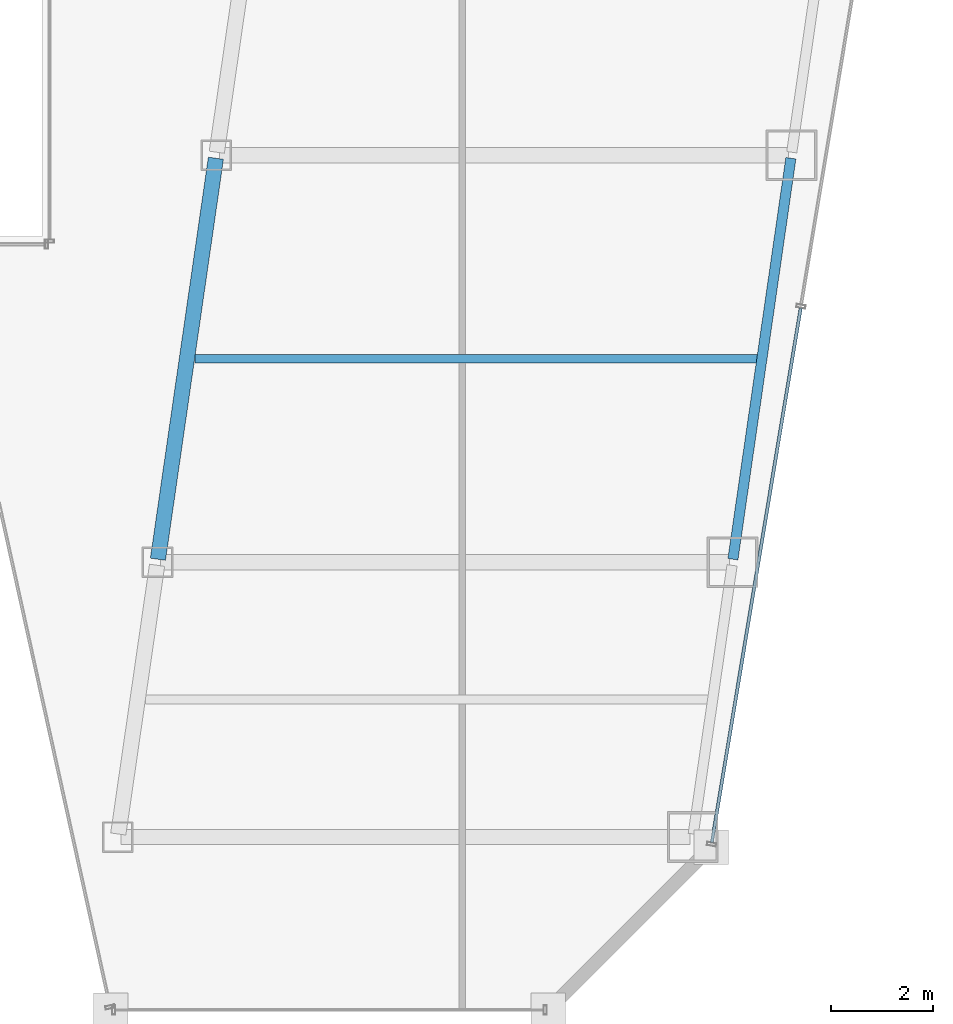
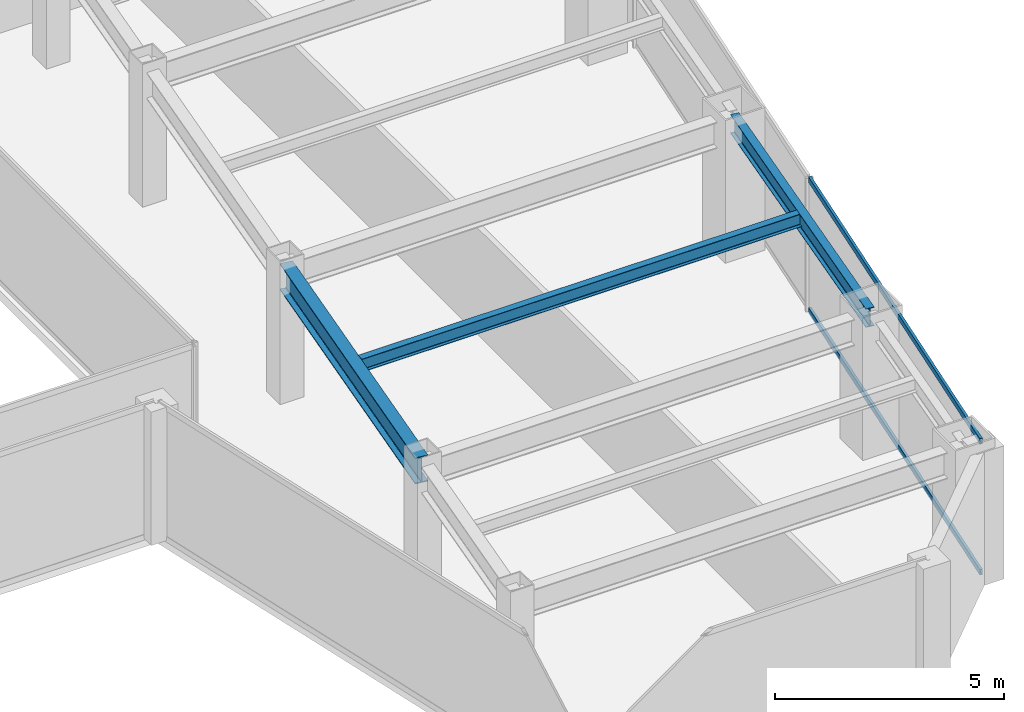
# One storey, part 15 of 37: 3 beams, 2 members, 1 element without a shape of its own.
"""IFC4 building model written with IfcOpenShell, lengths in metres."""

from ifc_helpers import new_model, si_unit, direction, frame, origin, origin_2d, place, context, subcontext, project, spatial, hollow_rectangle, i_section, extrude, material, material_profile, profile_set, type_object, element, aggregate, save


model = new_model("IFC4")

# Units and contexts
model_context = context("Model", 3, precision=1e-05, world=origin(), true_north=direction((0.0, 1.0)))
body_context = subcontext(model_context, "Body", "Model", "MODEL_VIEW")
ifc_project = project(units=[si_unit("LENGTHUNIT", "METRE"), si_unit("AREAUNIT", "SQUARE_METRE"), si_unit("VOLUMEUNIT", "CUBIC_METRE"), si_unit("PLANEANGLEUNIT", "RADIAN"), si_unit("MASSUNIT", "GRAM", prefix="KILO")], contexts=[model_context])

# Site, building, storey
site_placement = place(None, origin())
site = spatial("IfcSite", under=ifc_project, at=site_placement, CompositionType="ELEMENT")
building_placement = place(site_placement, origin())
building = spatial("IfcBuilding", under=site, at=building_placement, Name="Saevonmaru Cultural Tower", CompositionType="ELEMENT")
storey_placement = place(building_placement, frame((0.0, 0.0, 160.0)))
storey = spatial("IfcBuildingStorey", under=building, at=storey_placement, Name="L35", CompositionType="ELEMENT", Elevation=160.0)

# Beams
ifc_material_1 = material(Name="Steel SM355", Category="steel")
ifc_material_profile_1 = material_profile(ifc_material_1, i_section(OverallWidth=0.300048828125, OverallDepth=0.699951171875, WebThickness=0.012939453125, FlangeThickness=0.02392578125, FilletRadius=0.02587890625, at=origin_2d()), Name="H-700x300x13x24")
ifc_profile_set_1 = profile_set([ifc_material_profile_1], Name="Steel SM355")
beam_type_1 = type_object("IfcBeamType", Name="BM-G-H700", PredefinedType="BEAM", material=ifc_profile_set_1)
beam_1_placement = place(storey_placement, frame((38.08056640625, 16.059326171875, 3.199951171875), z_axis=(0.143022161059, 0.989719486241, 0.0), x_axis=(-0.989719486241, 0.143022161059, 0.0)))
element("IfcBeam", 1, at=beam_1_placement, inside=storey, type_object=beam_type_1, Name="L35 East Atrium Girder 2", PredefinedType="BEAM", context=body_context, shape_type="SweptSolid", body=[
    extrude(i_section(OverallWidth=0.300048828125, OverallDepth=0.699951171875, WebThickness=0.012939453125, FlangeThickness=0.02392578125, FilletRadius=0.02587890625, at=origin_2d()), origin(), (0.0, 0.0, 1.0), 7.963134765625),
])
ifc_material_profile_2 = material_profile(ifc_material_1, i_section(OverallWidth=0.175048828125, OverallDepth=0.35009765625, WebThickness=0.007080078125, FlangeThickness=0.010986328125, FilletRadius=0.012939453125, at=origin_2d()), Name="H-350x175x7x11")
ifc_profile_set_2 = profile_set([ifc_material_profile_2], Name="Steel SM355")
beam_type_2 = type_object("IfcBeamType", Name="BM-J-H350", PredefinedType="JOIST", material=ifc_profile_set_2)
beam_2_placement = place(storey_placement, frame((38.80810546875, 20.0, 3.375), z_axis=(1.0, 0.0, 0.0), x_axis=(0.0, 1.0, 0.0)))
element("IfcBeam", 2, at=beam_2_placement, inside=storey, type_object=beam_type_2, Name="L35 East Wing Floor Joist 2", PredefinedType="JOIST", context=body_context, shape_type="SweptSolid", body=[
    extrude(i_section(OverallWidth=0.175048828125, OverallDepth=0.35009765625, WebThickness=0.007080078125, FlangeThickness=0.010986328125, FilletRadius=0.012939453125, at=origin_2d()), origin(), (0.0, 0.0, 1.0), 11.081787109375),
])
ifc_material_profile_3 = material_profile(ifc_material_1, i_section(OverallWidth=0.199951171875, OverallDepth=0.5, WebThickness=0.010009765625, FlangeThickness=0.01611328125, FilletRadius=0.02001953125, at=origin_2d()), Name="H-500x200x10x16")
ifc_profile_set_3 = profile_set([ifc_material_profile_3], Name="Steel SM355")
beam_type_3 = type_object("IfcBeamType", Name="BM-SP-H500", PredefinedType="SPANDREL", material=ifc_profile_set_3)
beam_3_placement = place(storey_placement, frame((49.380615234375, 16.059326171875, 3.300048828125), z_axis=(0.142992129437, 0.989723825579, 0.0), x_axis=(-0.989723825579, 0.142992129437, 0.0)))
element("IfcBeam", 3, at=beam_3_placement, inside=storey, type_object=beam_type_3, Name="L35 East Splayed Spandrel 2", PredefinedType="SPANDREL", context=body_context, shape_type="SweptSolid", body=[
    extrude(i_section(OverallWidth=0.199951171875, OverallDepth=0.5, WebThickness=0.010009765625, FlangeThickness=0.01611328125, FilletRadius=0.02001953125, at=origin_2d()), origin(), (0.0, 0.0, 1.0), 7.963134765625),
])

# Curtain wall, members
ifc_material_2 = material(Name="Satin Bronze Anodised Aluminium", Category="aluminium")
curtain_wall_type = type_object("IfcCurtainWallType", Name="CW-TYP-A", PredefinedType="NOTDEFINED", material=ifc_material_2)
curtain_wall_placement = place(storey_placement, origin())
curtain_wall = element("IfcCurtainWall", 4, at=curtain_wall_placement, inside=storey, type_object=curtain_wall_type, Name="L35 Unitised Curtain Wall E8", PredefinedType="NOTDEFINED")
ifc_material_profile_4 = material_profile(ifc_material_2, hollow_rectangle(XDim=0.06494140625, YDim=0.14990234375, WallThickness=0.00390625, at=origin_2d()), Name="ALU-TRAN-150x65x4")
ifc_profile_set_4 = profile_set([ifc_material_profile_4], Name="Satin Bronze Anodised Aluminium")
member_type = type_object("IfcMemberType", Name="TR-CW-150x65", PredefinedType="USERDEFINED", material=ifc_profile_set_4)
member_1_placement = place(storey_placement, frame((48.96630859375, 10.4912109375, 0.032470703125), z_axis=(0.163990079074, 0.9864619881, 0.0), x_axis=(-0.9864619881, 0.163990079074, 0.0)))
member_1 = element("IfcMember", 5, at=member_1_placement, type_object=member_type, Name="CW-TW-L35-E8 transom 1.1", ObjectType="TRANSOM", PredefinedType="USERDEFINED", context=body_context, shape_type="SweptSolid", body=[
    extrude(hollow_rectangle(XDim=0.06494140625, YDim=0.14990234375, WallThickness=0.00390625, at=origin_2d()), origin(), (0.0, 0.0, 1.0), 10.650634765625),
])
member_2_placement = place(storey_placement, frame((48.96630859375, 10.4912109375, 3.517578125), z_axis=(0.163990079074, 0.9864619881, 0.0), x_axis=(-0.9864619881, 0.163990079074, 0.0)))
member_2 = element("IfcMember", 6, at=member_2_placement, type_object=member_type, Name="CW-TW-L35-E8 transom 1.2", ObjectType="TRANSOM", PredefinedType="USERDEFINED", context=body_context, shape_type="SweptSolid", body=[
    extrude(hollow_rectangle(XDim=0.06494140625, YDim=0.14990234375, WallThickness=0.00390625, at=origin_2d()), origin(), (0.0, 0.0, 1.0), 10.650634765625),
])
aggregate(curtain_wall, [member_1, member_2])

save(model, "model.ifc")
